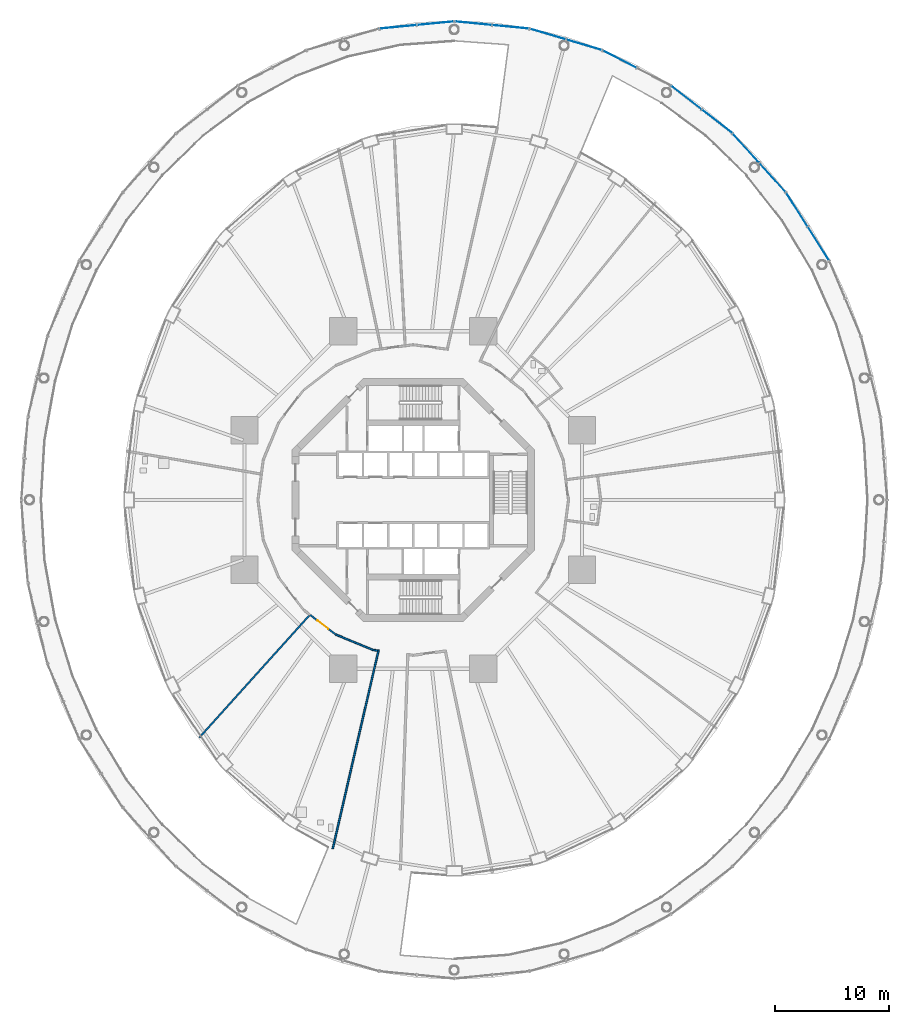
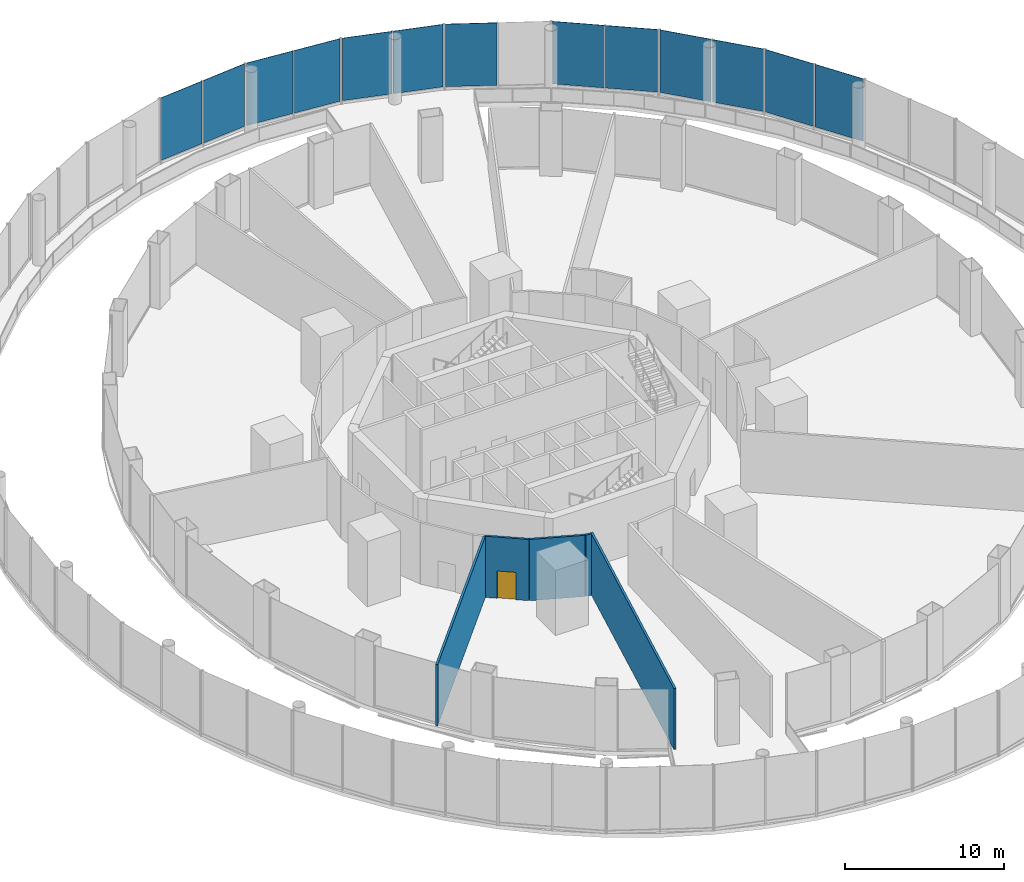
# One storey, part 41 of 47: 13 plates, 5 walls, 1 door, 1 opening, 7 elements without a shape of their own.
"""IFC4 building model written with IfcOpenShell, lengths in metres."""

from ifc_helpers import new_model, si_unit, direction, frame, frame_2d, origin, origin_2d, place, context, subcontext, project, spatial, rectangle, extrude, material, layer, layer_set, type_object, element, fill, aggregate, save


model = new_model("IFC4")

# Units and contexts
model_context = context("Model", 3, precision=1e-05, world=origin(), true_north=direction((0.0, 1.0)))
body_context = subcontext(model_context, "Body", "Model", "MODEL_VIEW")
ifc_project = project(units=[si_unit("LENGTHUNIT", "METRE"), si_unit("AREAUNIT", "SQUARE_METRE"), si_unit("VOLUMEUNIT", "CUBIC_METRE"), si_unit("PLANEANGLEUNIT", "RADIAN"), si_unit("MASSUNIT", "GRAM", prefix="KILO")], contexts=[model_context])

# Site, building, storey
site_placement = place(None, origin())
site = spatial("IfcSite", under=ifc_project, at=site_placement, CompositionType="ELEMENT")
building_placement = place(site_placement, origin())
building = spatial("IfcBuilding", under=site, at=building_placement, Name="Nagisa Residences", CompositionType="ELEMENT")
storey_placement = place(building_placement, frame((0.0, 0.0, 7.0)))
storey = spatial("IfcBuildingStorey", under=building, at=storey_placement, Name="L01", CompositionType="ELEMENT", Elevation=7.0)

# Curtain wall, plates
ifc_material_1 = material(Name="Stainless steel curtain wall system", Category="steel")
ifc_layer_1 = layer(ifc_material_1, 0.159912109375)
ifc_layer_set_1 = layer_set([ifc_layer_1], Name="CW3 CURTAIN WALL")
curtain_wall_type = type_object("IfcCurtainWallType", Name="CW3 CURTAIN WALL", PredefinedType="NOTDEFINED", material=ifc_layer_set_1)
curtain_wall_1_placement = place(storey_placement, origin())
curtain_wall_1 = element("IfcCurtainWall", 1, at=curtain_wall_1_placement, inside=storey, type_object=curtain_wall_type, Name="cw:CW3:L01:03", PredefinedType="NOTDEFINED")
ifc_material_2 = material(Name="Low-iron laminated glass", Category="glass")
ifc_layer_2 = layer(ifc_material_2, 0.028076171875)
ifc_layer_set_2 = layer_set([ifc_layer_2], Name="CW3 GLASS PANEL")
plate_type = type_object("IfcPlateType", Name="CW3 GLASS PANEL", PredefinedType="CURTAIN_PANEL", material=ifc_layer_set_2)
plate_1_placement = place(storey_placement, frame((35.48095703125, 22.473388671875, 0.2001953125), z_axis=(0.0, 0.0, 1.0), x_axis=(-0.535165286856, 0.844747368001, 0.0)))
plate_1 = element("IfcPlate", 2, at=plate_1_placement, type_object=plate_type, Name="CW3 panel", PredefinedType="CURTAIN_PANEL", context=body_context, shape_type="SweptSolid", body=[
    extrude(rectangle(XDim=3.4296875, YDim=0.028076171875, at=origin_2d()), origin(), (0.0, 0.0, 1.0), 4.800048828125),
])
plate_2_placement = place(storey_placement, frame((33.6025390625, 25.43798828125, 0.2001953125), z_axis=(0.0, 0.0, 1.0), x_axis=(-0.535165286856, 0.844747368001, 0.0)))
plate_2 = element("IfcPlate", 3, at=plate_2_placement, type_object=plate_type, Name="CW3 panel", PredefinedType="CURTAIN_PANEL", context=body_context, shape_type="SweptSolid", body=[
    extrude(rectangle(XDim=3.4296875, YDim=0.028076171875, at=origin_2d()), origin(), (0.0, 0.0, 1.0), 4.800048828125),
])
aggregate(curtain_wall_1, [plate_1, plate_2])

curtain_wall_2_placement = place(storey_placement, origin())
curtain_wall_2 = element("IfcCurtainWall", 4, at=curtain_wall_2_placement, inside=storey, type_object=curtain_wall_type, Name="cw:CW3:L01:04", PredefinedType="NOTDEFINED")
plate_3_placement = place(storey_placement, frame((31.466064453125, 28.25244140625, 0.2001953125), z_axis=(0.0, 0.0, 1.0), x_axis=(-0.670913323971, 0.741535779122, 0.0)))
plate_3 = element("IfcPlate", 5, at=plate_3_placement, type_object=plate_type, Name="CW3 panel", PredefinedType="CURTAIN_PANEL", context=body_context, shape_type="SweptSolid", body=[
    extrude(rectangle(XDim=3.37060546875, YDim=0.028076171875, at=origin_2d()), origin(), (0.0, 0.0, 1.0), 4.800048828125),
])
plate_4_placement = place(storey_placement, frame((29.15087890625, 30.811279296875, 0.2001953125), z_axis=(0.0, 0.0, 1.0), x_axis=(-0.670913323971, 0.741535779122, 0.0)))
plate_4 = element("IfcPlate", 6, at=plate_4_placement, type_object=plate_type, Name="CW3 panel", PredefinedType="CURTAIN_PANEL", context=body_context, shape_type="SweptSolid", body=[
    extrude(rectangle(XDim=3.37060546875, YDim=0.028076171875, at=origin_2d()), origin(), (0.0, 0.0, 1.0), 4.800048828125),
])
aggregate(curtain_wall_2, [plate_3, plate_4])

curtain_wall_3_placement = place(storey_placement, origin())
curtain_wall_3 = element("IfcCurtainWall", 7, at=curtain_wall_3_placement, inside=storey, type_object=curtain_wall_type, Name="cw:CW3:L01:05", PredefinedType="NOTDEFINED")
plate_5_placement = place(storey_placement, frame((26.604736328125, 33.172607421875, 0.2001953125), z_axis=(0.0, 0.0, 1.0), x_axis=(-0.790830864353, 0.612034757172, 0.0)))
plate_5 = element("IfcPlate", 8, at=plate_5_placement, type_object=plate_type, Name="CW3 panel", PredefinedType="CURTAIN_PANEL", context=body_context, shape_type="SweptSolid", body=[
    extrude(rectangle(XDim=3.310546875, YDim=0.028076171875, at=origin_2d()), origin(), (0.0, 0.0, 1.0), 4.800048828125),
])
plate_6_placement = place(storey_placement, frame((23.92333984375, 35.247802734375, 0.2001953125), z_axis=(0.0, 0.0, 1.0), x_axis=(-0.790830864353, 0.612034757172, 0.0)))
plate_6 = element("IfcPlate", 9, at=plate_6_placement, type_object=plate_type, Name="CW3 panel", PredefinedType="CURTAIN_PANEL", context=body_context, shape_type="SweptSolid", body=[
    extrude(rectangle(XDim=3.310546875, YDim=0.028076171875, at=origin_2d()), origin(), (0.0, 0.0, 1.0), 4.800048828125),
])
aggregate(curtain_wall_3, [plate_5, plate_6])

# Curtain wall, plate
curtain_wall_4_placement = place(storey_placement, origin())
curtain_wall_4 = element("IfcCurtainWall", 10, at=curtain_wall_4_placement, inside=storey, type_object=curtain_wall_type, Name="cw:CW3:L01:06", PredefinedType="NOTDEFINED")
plate_7_placement = place(storey_placement, frame((18.07861328125, 38.61328125, 0.2001953125), z_axis=(0.0, 0.0, 1.0), x_axis=(-0.888887270285, 0.45812598783, 0.0)))
plate_7 = element("IfcPlate", 11, at=plate_7_placement, type_object=plate_type, Name="CW3 panel", PredefinedType="CURTAIN_PANEL", context=body_context, shape_type="SweptSolid", body=[
    extrude(rectangle(XDim=3.2568359375, YDim=0.028076171875, at=origin_2d()), origin(), (0.0, 0.0, 1.0), 4.800048828125),
])
aggregate(curtain_wall_4, [plate_7])

# Curtain wall, plates
curtain_wall_5_placement = place(storey_placement, origin())
curtain_wall_5 = element("IfcCurtainWall", 12, at=curtain_wall_5_placement, inside=storey, type_object=curtain_wall_type, Name="cw:CW3:L01:07", PredefinedType="NOTDEFINED")
plate_8_placement = place(storey_placement, frame((14.955322265625, 39.869873046875, 0.2001953125), z_axis=(0.0, 0.0, 1.0), x_axis=(-0.958835171393, 0.283963226669, 0.0)))
plate_8 = element("IfcPlate", 13, at=plate_8_placement, type_object=plate_type, Name="CW3 panel", PredefinedType="CURTAIN_PANEL", context=body_context, shape_type="SweptSolid", body=[
    extrude(rectangle(XDim=3.21630859375, YDim=0.028076171875, at=origin_2d()), origin(), (0.0, 0.0, 1.0), 4.800048828125),
])
plate_9_placement = place(storey_placement, frame((11.794677734375, 40.805908203125, 0.2001953125), z_axis=(0.0, 0.0, 1.0), x_axis=(-0.958835171393, 0.283963226669, 0.0)))
plate_9 = element("IfcPlate", 14, at=plate_9_placement, type_object=plate_type, Name="CW3 panel", PredefinedType="CURTAIN_PANEL", context=body_context, shape_type="SweptSolid", body=[
    extrude(rectangle(XDim=3.21630859375, YDim=0.028076171875, at=origin_2d()), origin(), (0.0, 0.0, 1.0), 4.800048828125),
])
aggregate(curtain_wall_5, [plate_8, plate_9])

curtain_wall_6_placement = place(storey_placement, origin())
curtain_wall_6 = element("IfcCurtainWall", 15, at=curtain_wall_6_placement, inside=storey, type_object=curtain_wall_type, Name="cw:CW3:L01:08", PredefinedType="NOTDEFINED")
plate_10_placement = place(storey_placement, frame((8.521484375, 41.44384765625, 0.2001953125), z_axis=(0.0, 0.0, 1.0), x_axis=(-0.995357282289, 0.096249055035, 0.0)))
plate_10 = element("IfcPlate", 16, at=plate_10_placement, type_object=plate_type, Name="CW3 panel", PredefinedType="CURTAIN_PANEL", context=body_context, shape_type="SweptSolid", body=[
    extrude(rectangle(XDim=3.19482421875, YDim=0.028076171875, at=origin_2d()), origin(), (0.0, 0.0, 1.0), 4.800048828125),
])
plate_11_placement = place(storey_placement, frame((5.261962890625, 41.759033203125, 0.2001953125), z_axis=(0.0, 0.0, 1.0), x_axis=(-0.995357282289, 0.096249055035, 0.0)))
plate_11 = element("IfcPlate", 17, at=plate_11_placement, type_object=plate_type, Name="CW3 panel", PredefinedType="CURTAIN_PANEL", context=body_context, shape_type="SweptSolid", body=[
    extrude(rectangle(XDim=3.19482421875, YDim=0.028076171875, at=origin_2d()), origin(), (0.0, 0.0, 1.0), 4.800048828125),
])
aggregate(curtain_wall_6, [plate_10, plate_11])

curtain_wall_7_placement = place(storey_placement, origin())
curtain_wall_7 = element("IfcCurtainWall", 18, at=curtain_wall_7_placement, inside=storey, type_object=curtain_wall_type, Name="cw:CW3:L01:09", PredefinedType="NOTDEFINED")
plate_12_placement = place(storey_placement, frame((1.938232421875, 41.759033203125, 0.2001953125), z_axis=(0.0, 0.0, 1.0), x_axis=(-0.995357282289, -0.096249055035, 0.0)))
plate_12 = element("IfcPlate", 19, at=plate_12_placement, type_object=plate_type, Name="CW3 panel", PredefinedType="CURTAIN_PANEL", context=body_context, shape_type="SweptSolid", body=[
    extrude(rectangle(XDim=3.19482421875, YDim=0.028076171875, at=origin_2d()), origin(), (0.0, 0.0, 1.0), 4.800048828125),
])
plate_13_placement = place(storey_placement, frame((-1.3212890625, 41.44384765625, 0.2001953125), z_axis=(0.0, 0.0, 1.0), x_axis=(-0.995357282289, -0.096249055035, 0.0)))
plate_13 = element("IfcPlate", 20, at=plate_13_placement, type_object=plate_type, Name="CW3 panel", PredefinedType="CURTAIN_PANEL", context=body_context, shape_type="SweptSolid", body=[
    extrude(rectangle(XDim=3.19482421875, YDim=0.028076171875, at=origin_2d()), origin(), (0.0, 0.0, 1.0), 4.800048828125),
])
aggregate(curtain_wall_7, [plate_12, plate_13])

# Walls
ifc_material_3 = material(Name="Gypsum board on steel studs", Category="steel")
ifc_layer_3 = layer(ifc_material_3, 0.14990234375)
ifc_layer_set_3 = layer_set([ifc_layer_3], Name="Room partition EI60 150")
wall_type = type_object("IfcWallType", Name="Room partition EI60 150", PredefinedType="PARTITIONING", material=ifc_layer_set_3)
wall_1_placement = place(storey_placement, frame((-9.1005859375, -10.107177734375, 0.0), z_axis=(0.0, 0.0, 1.0), x_axis=(-0.669132472721, -0.743143144994, 0.0)))
element("IfcWall", 21, at=wall_1_placement, inside=storey, type_object=wall_type, Name="wall:L01:am009", PredefinedType="PARTITIONING", context=body_context, shape_type="SweptSolid", body=[
    extrude(rectangle(XDim=14.392333984375, YDim=0.14990234375, at=frame_2d((7.1962890625, 0.0))), origin(), (0.0, 0.0, 1.0), 4.699951171875),
])
wall_2_placement = place(storey_placement, frame((-7.053466796875, -30.552490234375, 0.0), z_axis=(0.0, 0.0, 1.0), x_axis=(0.224943248141, 0.974371866956, 0.0)))
element("IfcWall", 22, at=wall_2_placement, inside=storey, type_object=wall_type, Name="wall:L01:am011", PredefinedType="PARTITIONING", context=body_context, shape_type="SweptSolid", body=[
    extrude(rectangle(XDim=17.88525390625, YDim=0.14990234375, at=frame_2d((8.942626953125, 0.0))), origin(), (0.0, 0.0, 1.0), 4.699951171875),
])

# Wall, opening, door
wall_3_placement = place(storey_placement, frame((-6.809326171875, -11.770751953125, 0.0), z_axis=(0.0, 0.0, 1.0), x_axis=(-0.793365630445, 0.608745411834, 0.0)))
wall_3 = element("IfcWall", 23, at=wall_3_placement, inside=storey, type_object=wall_type, Name="wall:L01:am012", PredefinedType="PARTITIONING", context=body_context, shape_type="SweptSolid", body=[
    extrude(rectangle(XDim=2.82470703125, YDim=0.14990234375, at=frame_2d((1.412353515625, 0.0))), origin(), (0.0, 0.0, 1.0), 4.699951171875),
])
opening_placement = place(wall_3_placement, frame((0.806396484375, 0.0, 0.0)))
opening = element("IfcOpeningElement", 24, at=opening_placement, cuts=wall_3, Name="Opening L01-A08", PredefinedType="OPENING", context=body_context, shape_type="SweptSolid", body=[
    extrude(rectangle(XDim=1.199951171875, YDim=2.10009765625, at=frame_2d((0.60009765625, 1.050048828125))), frame((0.0, 0.0849609375, 0.0), z_axis=(0.0, -1.0, 0.0), x_axis=(1.0, 0.0, 0.0)), (0.0, 0.0, 1.0), 0.169921875),
])
ifc_material_4 = material(Name="Steel fire door", Category="steel")
door_type = type_object("IfcDoorType", Name="Fire door EI30 1200x2100 single swing", OperationType="NOTDEFINED", PredefinedType="DOOR", material=ifc_material_4)
door_placement = place(opening_placement, frame((1.199951171875, 0.0, 0.0), x_axis=(-1.0, 0.0, 0.0)))
door = element("IfcDoor", 25, at=door_placement, inside=storey, type_object=door_type, Name="Men's changing rooms door", OperationType="SINGLE_SWING_LEFT", OverallHeight=2.10009765625, OverallWidth=1.199951171875, PredefinedType="DOOR", context=body_context, shape_type="SweptSolid", body=[
    extrude(rectangle(XDim=1.199951171875, YDim=2.10009765625, at=frame_2d((0.60009765625, 1.050048828125))), frame((0.0, 0.02490234375, 0.0), z_axis=(0.0, -1.0, 0.0), x_axis=(1.0, 0.0, 0.0)), (0.0, 0.0, 1.0), 0.050048828125),
])
fill(opening, door)

# Walls
wall_4_placement = place(storey_placement, frame((-3.53076171875, -13.132080078125, 0.0), z_axis=(0.0, 0.0, 1.0), x_axis=(-0.923881838111, 0.382677866108, 0.0)))
element("IfcWall", 26, at=wall_4_placement, inside=storey, type_object=wall_type, Name="wall:L01:am014", PredefinedType="PARTITIONING", context=body_context, shape_type="SweptSolid", body=[
    extrude(rectangle(XDim=3.52685546875, YDim=0.14990234375, at=frame_2d((1.763427734375, 0.0))), origin(), (0.0, 0.0, 1.0), 4.699951171875),
])
wall_5_placement = place(storey_placement, frame((-3.121826171875, -13.18896484375, 0.0), z_axis=(0.0, 0.0, 1.0), x_axis=(-0.991467089631, 0.130357240609, 0.0)))
element("IfcWall", 27, at=wall_5_placement, inside=storey, type_object=wall_type, Name="wall:L01:am016", PredefinedType="PARTITIONING", context=body_context, shape_type="SweptSolid", body=[
    extrude(rectangle(XDim=0.3896484375, YDim=0.14990234375, at=frame_2d((0.19482421875, 0.0))), origin(), (0.0, 0.0, 1.0), 4.699951171875),
])

save(model, "model.ifc")
